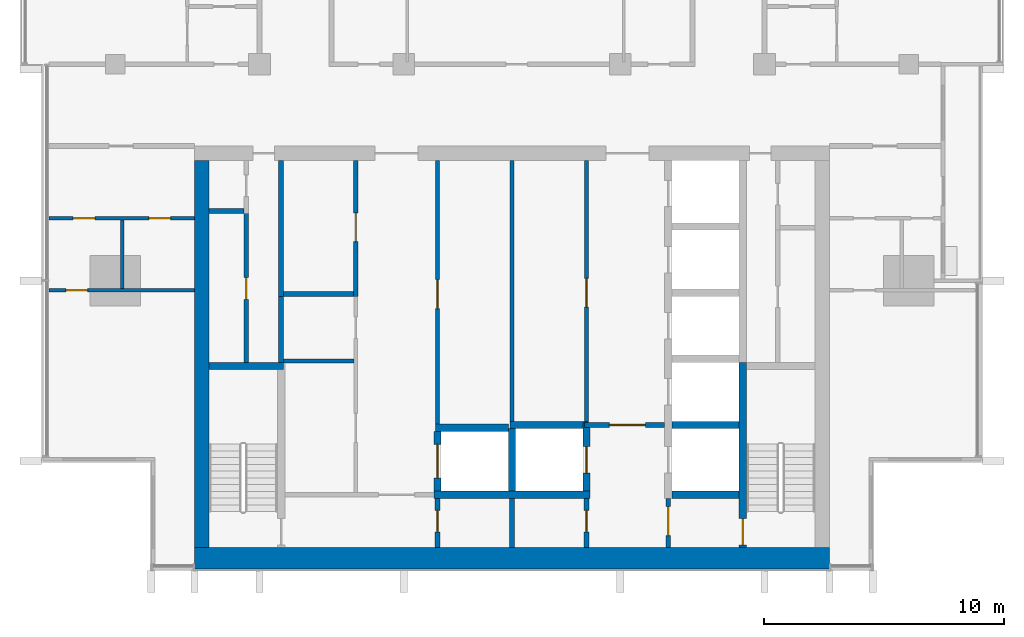
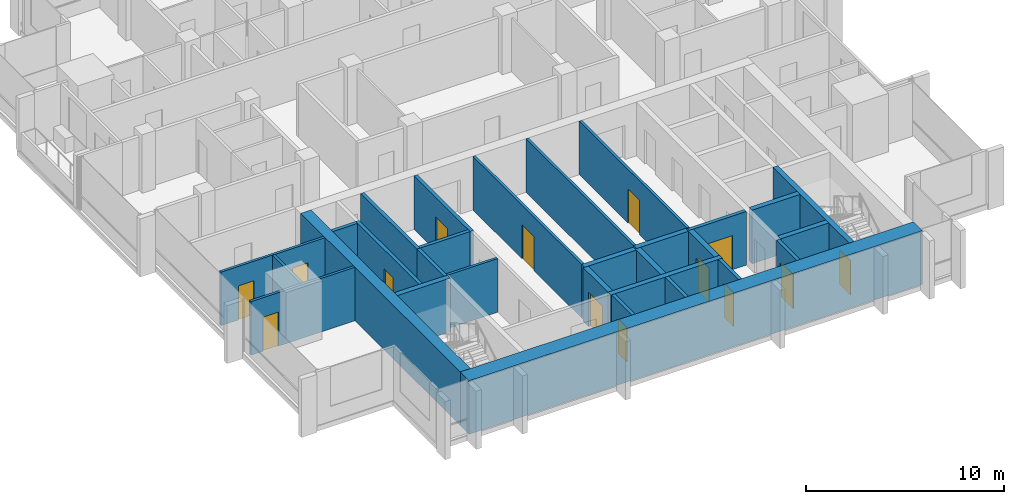
# One storey, part 7 of 16: 30 walls, 14 doors, 14 openings.
"""IFC4 building model written with IfcOpenShell, lengths in metres."""

from ifc_helpers import new_model, si_unit, direction, frame, frame_2d, origin, place, context, subcontext, project, spatial, rectangle, extrude, material, layer, layer_set, type_object, element, fill, save


model = new_model("IFC4")

# Units and contexts
model_context = context("Model", 3, precision=1e-05, world=origin(), true_north=direction((0.0, 1.0)))
body_context = subcontext(model_context, "Body", "Model", "MODEL_VIEW")
ifc_project = project(units=[si_unit("LENGTHUNIT", "METRE"), si_unit("AREAUNIT", "SQUARE_METRE"), si_unit("VOLUMEUNIT", "CUBIC_METRE"), si_unit("PLANEANGLEUNIT", "RADIAN"), si_unit("MASSUNIT", "GRAM", prefix="KILO")], contexts=[model_context])

# Site, building, storey
site_placement = place(None, origin())
site = spatial("IfcSite", under=ifc_project, at=site_placement, CompositionType="ELEMENT")
building_placement = place(site_placement, origin())
building = spatial("IfcBuilding", under=site, at=building_placement, Name="Finial Court Residences", CompositionType="ELEMENT")
storey_placement = place(building_placement, frame((0.0, 0.0, 223.10009765625)))
storey = spatial("IfcBuildingStorey", under=building, at=storey_placement, Name="L56", CompositionType="ELEMENT", Elevation=223.10009765625)

# Walls
ifc_material_1 = material(Name="Concrete C60/75", Category="concrete")
ifc_layer_1 = layer(ifc_material_1, 0.60009765625)
ifc_layer_set_1 = layer_set([ifc_layer_1], Name="Core outer wall 600 Concrete C60/75")
wall_type_1 = type_object("IfcWallType", Name="Core outer wall 600 Concrete C60/75", PredefinedType="SHEAR", material=ifc_layer_set_1)
wall_1_placement = place(storey_placement, frame((-12.89990234375, -24.60009765625, 0.0), z_axis=(0.0, 0.0, 1.0), x_axis=(0.0, 1.0, 0.0)))
element("IfcWall", 1, at=wall_1_placement, inside=storey, type_object=wall_type_1, Name="Core outer wall L56-03", PredefinedType="SHEAR", context=body_context, shape_type="SweptSolid", body=[
    extrude(rectangle(XDim=16.10009765625, YDim=0.60009765625, at=frame_2d((8.050048828125, 0.0))), origin(), (0.0, 0.0, 1.0), 3.2998046875),
])
ifc_material_2 = material(Name="Fire-rated gypsum board partition")
ifc_layer_2 = layer(ifc_material_2, 0.14990234375)
ifc_layer_set_2 = layer_set([ifc_layer_2], Name="Core room partition 150 EI 60")
wall_type_2 = type_object("IfcWallType", Name="Core room partition 150 EI 60", PredefinedType="PARTITIONING", material=ifc_layer_set_2)
wall_2_placement = place(storey_placement, frame((-9.5, -16.840087890625, 0.0), z_axis=(0.0, 0.0, 1.0), x_axis=(1.0, 0.0, 0.0)))
element("IfcWall", 2, at=wall_2_placement, inside=storey, type_object=wall_type_2, Name="Core partition L56-10", PredefinedType="PARTITIONING", context=body_context, shape_type="SweptSolid", body=[
    extrude(rectangle(XDim=2.925048828125, YDim=0.14990234375, at=frame_2d((1.46240234375, 0.0))), origin(), (0.0, 0.0, 1.0), 3.2998046875),
])

# Wall, opening, door
wall_3_placement = place(storey_placement, frame((-3.10009765625, -8.5, 0.0), z_axis=(0.0, 0.0, 1.0), x_axis=(0.0, -1.0, 0.0)))
wall_3 = element("IfcWall", 3, at=wall_3_placement, inside=storey, type_object=wall_type_2, Name="Core partition L56-26", PredefinedType="PARTITIONING", context=body_context, shape_type="SweptSolid", body=[
    extrude(rectangle(XDim=10.969970703125, YDim=0.14990234375, at=frame_2d((5.48486328125, 0.0))), origin(), (0.0, 0.0, 1.0), 3.2998046875),
])
opening_1_placement = place(wall_3_placement, frame((4.9599609375, 0.0, 0.0)))
opening_1 = element("IfcOpeningElement", 4, at=opening_1_placement, cuts=wall_3, Name="Opening L56-C17", PredefinedType="OPENING", context=body_context, shape_type="SweptSolid", body=[
    extrude(rectangle(XDim=1.199951171875, YDim=2.10009765625, at=frame_2d((0.60009765625, 1.050048828125))), frame((0.0, 0.0849609375, 0.0), z_axis=(0.0, -1.0, 0.0), x_axis=(1.0, 0.0, 0.0)), (0.0, 0.0, 1.0), 0.169921875),
])
ifc_material_3 = material(Name="Steel fire door", Category="steel")
door_type_1 = type_object("IfcDoorType", Name="Core room door 1200 x 2100 EI 60", OperationType="NOTDEFINED", PredefinedType="DOOR", material=ifc_material_3)
door_1_placement = place(opening_1_placement, origin())
door_1 = element("IfcDoor", 5, at=door_1_placement, inside=storey, type_object=door_type_1, Name="Core room door L56-C17", OperationType="SINGLE_SWING_RIGHT", OverallHeight=2.10009765625, OverallWidth=1.199951171875, PredefinedType="DOOR", context=body_context, shape_type="SweptSolid", body=[
    extrude(rectangle(XDim=1.199951171875, YDim=2.10009765625, at=frame_2d((0.60009765625, 1.050048828125))), frame((0.0, 0.02490234375, 0.0), z_axis=(0.0, -1.0, 0.0), x_axis=(1.0, 0.0, 0.0)), (0.0, 0.0, 1.0), 0.050048828125),
])
fill(opening_1, door_1)

# Wall
wall_4_placement = place(storey_placement, frame((0.0, -19.35009765625, 0.0), z_axis=(0.0, 0.0, 1.0), x_axis=(0.0, 1.0, 0.0)))
element("IfcWall", 6, at=wall_4_placement, inside=storey, type_object=wall_type_2, Name="Core partition L56-29", PredefinedType="PARTITIONING", context=body_context, shape_type="SweptSolid", body=[
    extrude(rectangle(XDim=10.85009765625, YDim=0.14990234375, at=frame_2d((5.425048828125, 0.0))), origin(), (0.0, 0.0, 1.0), 3.2998046875),
])

# Wall, opening, door
wall_5_placement = place(storey_placement, frame((3.10009765625, -19.39990234375, 0.0), z_axis=(0.0, 0.0, 1.0), x_axis=(0.0, 1.0, 0.0)))
wall_5 = element("IfcWall", 7, at=wall_5_placement, inside=storey, type_object=wall_type_2, Name="Core partition L56-32", PredefinedType="PARTITIONING", context=body_context, shape_type="SweptSolid", body=[
    extrude(rectangle(XDim=10.89990234375, YDim=0.14990234375, at=frame_2d((5.449951171875, 0.0))), origin(), (0.0, 0.0, 1.0), 3.2998046875),
])
opening_2_placement = place(wall_5_placement, frame((4.800048828125, 0.0, 0.0)))
opening_2 = element("IfcOpeningElement", 8, at=opening_2_placement, cuts=wall_5, Name="Opening L56-C18", PredefinedType="OPENING", context=body_context, shape_type="SweptSolid", body=[
    extrude(rectangle(XDim=1.199951171875, YDim=2.10009765625, at=frame_2d((0.60009765625, 1.050048828125))), frame((0.0, 0.0849609375, 0.0), z_axis=(0.0, -1.0, 0.0), x_axis=(1.0, 0.0, 0.0)), (0.0, 0.0, 1.0), 0.169921875),
])
door_2_placement = place(opening_2_placement, origin())
door_2 = element("IfcDoor", 9, at=door_2_placement, inside=storey, type_object=door_type_1, Name="Core room door L56-C18", OperationType="SINGLE_SWING_LEFT", OverallHeight=2.10009765625, OverallWidth=1.199951171875, PredefinedType="DOOR", context=body_context, shape_type="SweptSolid", body=[
    extrude(rectangle(XDim=1.199951171875, YDim=2.10009765625, at=frame_2d((0.60009765625, 1.050048828125))), frame((0.0, 0.02490234375, 0.0), z_axis=(0.0, -1.0, 0.0), x_axis=(1.0, 0.0, 0.0)), (0.0, 0.0, 1.0), 0.050048828125),
])
fill(opening_2, door_2)

# Wall
ifc_layer_3 = layer(ifc_material_1, 0.89990234375)
ifc_layer_set_3 = layer_set([ifc_layer_3], Name="Core south facade wall 900 Concrete C60/75")
wall_type_3 = type_object("IfcWallType", Name="Core south facade wall 900 Concrete C60/75", PredefinedType="SHEAR", material=ifc_layer_set_3)
wall_6_placement = place(storey_placement, frame((-13.199951171875, -25.050048828125, 0.0), z_axis=(0.0, 0.0, 1.0), x_axis=(1.0, 0.0, 0.0)))
element("IfcWall", 10, at=wall_6_placement, inside=storey, type_object=wall_type_3, Name="Core outer wall L56-01", PredefinedType="SHEAR", context=body_context, shape_type="SweptSolid", body=[
    extrude(rectangle(XDim=26.39990234375, YDim=0.89990234375, at=frame_2d((13.199951171875, 0.0))), origin(), (0.0, 0.0, 1.0), 3.2998046875),
])

# Wall, opening, door
ifc_layer_4 = layer(ifc_material_2, 0.199951171875)
ifc_layer_set_4 = layer_set([ifc_layer_4], Name="Firefighting lobby wall 200 EI 120")
wall_type_4 = type_object("IfcWallType", Name="Firefighting lobby wall 200 EI 120", PredefinedType="PARTITIONING", material=ifc_layer_set_4)
wall_7_placement = place(storey_placement, frame((6.35009765625, -19.5, 0.0), z_axis=(0.0, 0.0, 1.0), x_axis=(-1.0, 0.0, 0.0)))
wall_7 = element("IfcWall", 11, at=wall_7_placement, inside=storey, type_object=wall_type_4, Name="Core partition L56-06", PredefinedType="PARTITIONING", context=body_context, shape_type="SweptSolid", body=[
    extrude(rectangle(XDim=3.3251953125, YDim=0.199951171875, at=frame_2d((1.66259765625, 0.0))), origin(), (0.0, 0.0, 1.0), 3.2998046875),
])
opening_3_placement = place(wall_7_placement, frame((0.800048828125, 0.0, 0.0)))
opening_3 = element("IfcOpeningElement", 12, at=opening_3_placement, cuts=wall_7, Name="Opening L56-C02", PredefinedType="OPENING", context=body_context, shape_type="SweptSolid", body=[
    extrude(rectangle(XDim=1.5, YDim=2.10009765625, at=frame_2d((0.75, 1.050048828125))), frame((0.0, 0.10986328125, 0.0), z_axis=(0.0, -1.0, 0.0), x_axis=(1.0, 0.0, 0.0)), (0.0, 0.0, 1.0), 0.219970703125),
])
door_type_2 = type_object("IfcDoorType", Name="Firefighting lobby door 1500 x 2100 EI 90", OperationType="DOUBLE_DOOR_SINGLE_SWING", PredefinedType="DOOR", material=ifc_material_3)
door_3_placement = place(opening_3_placement, origin())
door_3 = element("IfcDoor", 13, at=door_3_placement, inside=storey, type_object=door_type_2, Name="Firefighting lobby door L56-C02", OperationType="DOUBLE_DOOR_SINGLE_SWING", OverallHeight=2.10009765625, OverallWidth=1.5, PredefinedType="DOOR", context=body_context, shape_type="SweptSolid", body=[
    extrude(rectangle(XDim=1.5, YDim=2.10009765625, at=frame_2d((0.75, 1.050048828125))), frame((0.0, 0.02490234375, 0.0), z_axis=(0.0, -1.0, 0.0), x_axis=(1.0, 0.0, 0.0)), (0.0, 0.0, 1.0), 0.050048828125),
])
fill(opening_3, door_3)

wall_8_placement = place(storey_placement, frame((3.10009765625, -24.60009765625, 0.0), z_axis=(0.0, 0.0, 1.0), x_axis=(0.0, 1.0, 0.0)))
wall_8 = element("IfcWall", 14, at=wall_8_placement, inside=storey, type_object=wall_type_4, Name="Core partition L56-30", PredefinedType="PARTITIONING", context=body_context, shape_type="SweptSolid", body=[
    extrude(rectangle(XDim=2.050048828125, YDim=0.199951171875, at=frame_2d((1.02490234375, 0.0))), origin(), (0.0, 0.0, 1.0), 3.2998046875),
])
opening_4_placement = place(wall_8_placement, frame((0.64990234375, 0.0, 0.0)))
opening_4 = element("IfcOpeningElement", 15, at=opening_4_placement, cuts=wall_8, Name="Opening L56-C06", PredefinedType="OPENING", context=body_context, shape_type="SweptSolid", body=[
    extrude(rectangle(XDim=0.89990234375, YDim=2.10009765625, at=frame_2d((0.449951171875, 1.050048828125))), frame((0.0, 0.10986328125, 0.0), z_axis=(0.0, -1.0, 0.0), x_axis=(1.0, 0.0, 0.0)), (0.0, 0.0, 1.0), 0.219970703125),
])
door_type_3 = type_object("IfcDoorType", Name="Riser room door 900 x 2100 EI 90", OperationType="NOTDEFINED", PredefinedType="DOOR", material=ifc_material_3)
door_4_placement = place(opening_4_placement, origin())
door_4 = element("IfcDoor", 16, at=door_4_placement, inside=storey, type_object=door_type_3, Name="Riser room door L56-C06", OperationType="SINGLE_SWING_LEFT", OverallHeight=2.10009765625, OverallWidth=0.89990234375, PredefinedType="DOOR", context=body_context, shape_type="SweptSolid", body=[
    extrude(rectangle(XDim=0.89990234375, YDim=2.10009765625, at=frame_2d((0.449951171875, 1.050048828125))), frame((0.0, 0.02490234375, 0.0), z_axis=(0.0, -1.0, 0.0), x_axis=(1.0, 0.0, 0.0)), (0.0, 0.0, 1.0), 0.050048828125),
])
fill(opening_4, door_4)

wall_9_placement = place(storey_placement, frame((6.5, -22.550048828125, 0.0), z_axis=(0.0, 0.0, 1.0), x_axis=(0.0, -1.0, 0.0)))
wall_9 = element("IfcWall", 17, at=wall_9_placement, inside=storey, type_object=wall_type_4, Name="Core partition L56-33", PredefinedType="PARTITIONING", context=body_context, shape_type="SweptSolid", body=[
    extrude(rectangle(XDim=2.050048828125, YDim=0.199951171875, at=frame_2d((1.02490234375, 0.0))), origin(), (0.0, 0.0, 1.0), 3.2998046875),
])
opening_5_placement = place(wall_9_placement, frame((0.35009765625, 0.0, 0.0)))
opening_5 = element("IfcOpeningElement", 18, at=opening_5_placement, cuts=wall_9, Name="Opening L56-C01", PredefinedType="OPENING", context=body_context, shape_type="SweptSolid", body=[
    extrude(rectangle(XDim=1.199951171875, YDim=2.10009765625, at=frame_2d((0.60009765625, 1.050048828125))), frame((0.0, 0.10986328125, 0.0), z_axis=(0.0, -1.0, 0.0), x_axis=(1.0, 0.0, 0.0)), (0.0, 0.0, 1.0), 0.219970703125),
])
door_type_4 = type_object("IfcDoorType", Name="Firefighting lobby door 1200 x 2100 EI 90", OperationType="NOTDEFINED", PredefinedType="DOOR", material=ifc_material_3)
door_5_placement = place(opening_5_placement, origin())
door_5 = element("IfcDoor", 19, at=door_5_placement, inside=storey, type_object=door_type_4, Name="Firefighting lobby door L56-C01", OperationType="SINGLE_SWING_RIGHT", OverallHeight=2.10009765625, OverallWidth=1.199951171875, PredefinedType="DOOR", context=body_context, shape_type="SweptSolid", body=[
    extrude(rectangle(XDim=1.199951171875, YDim=2.10009765625, at=frame_2d((0.60009765625, 1.050048828125))), frame((0.0, 0.02490234375, 0.0), z_axis=(0.0, -1.0, 0.0), x_axis=(1.0, 0.0, 0.0)), (0.0, 0.0, 1.0), 0.050048828125),
])
fill(opening_5, door_5)

ifc_material_4 = material(Name="Moisture-resistant gypsum board")
ifc_layer_5 = layer(ifc_material_4, 0.012451171875)
ifc_material_5 = material(Name="Mineral wool in light-gauge frame")
ifc_layer_6 = layer(ifc_material_5, 0.125)
ifc_layer_7 = layer(ifc_material_4, 0.012451171875)
ifc_layer_set_5 = layer_set([ifc_layer_5, ifc_layer_6, ifc_layer_7], Name="Gypsum board wet-area partition 150")
wall_type_5 = type_object("IfcWallType", Name="Gypsum board wet-area partition 150", PredefinedType="PARTITIONING", material=ifc_layer_set_5)
wall_10_placement = place(storey_placement, frame((-19.262451171875, -13.89990234375, 0.0), z_axis=(0.0, 0.0, 1.0), x_axis=(1.0, 0.0, 0.0)))
wall_10 = element("IfcWall", 20, at=wall_10_placement, inside=storey, type_object=wall_type_5, Name="Partition L56-000", PredefinedType="PARTITIONING", context=body_context, shape_type="SweptSolid", body=[
    extrude(rectangle(XDim=6.0625, YDim=0.14990234375, at=frame_2d((3.03125, 0.0))), origin(), (0.0, 0.0, 1.0), 3.2998046875),
])
opening_6_placement = place(wall_10_placement, frame((0.7119140625, 0.0, 0.0)))
opening_6 = element("IfcOpeningElement", 21, at=opening_6_placement, cuts=wall_10, Name="Opening L56-D001", PredefinedType="OPENING", context=body_context, shape_type="SweptSolid", body=[
    extrude(rectangle(XDim=0.89990234375, YDim=2.10009765625, at=frame_2d((0.449951171875, 1.050048828125))), frame((0.0, 0.0849609375, 0.0), z_axis=(0.0, -1.0, 0.0), x_axis=(1.0, 0.0, 0.0)), (0.0, 0.0, 1.0), 0.169921875),
])
ifc_material_6 = material(Name="Timber door leaf in timber frame", Category="wood")
door_type_5 = type_object("IfcDoorType", Name="Door set 900 x 2100", OperationType="SINGLE_SWING_LEFT", PredefinedType="DOOR", material=ifc_material_6)
door_6_placement = place(opening_6_placement, origin())
door_6 = element("IfcDoor", 22, at=door_6_placement, inside=storey, type_object=door_type_5, Name="Door L56-D001", OperationType="SINGLE_SWING_LEFT", OverallHeight=2.10009765625, OverallWidth=0.89990234375, PredefinedType="DOOR", context=body_context, shape_type="SweptSolid", body=[
    extrude(rectangle(XDim=0.89990234375, YDim=2.10009765625, at=frame_2d((0.449951171875, 1.050048828125))), frame((0.0, 0.02490234375, 0.0), z_axis=(0.0, -1.0, 0.0), x_axis=(1.0, 0.0, 0.0)), (0.0, 0.0, 1.0), 0.050048828125),
])
fill(opening_6, door_6)

# Wall, openings, doors
wall_11_placement = place(storey_placement, frame((-19.262451171875, -10.89990234375, 0.0), z_axis=(0.0, 0.0, 1.0), x_axis=(1.0, 0.0, 0.0)))
wall_11 = element("IfcWall", 23, at=wall_11_placement, inside=storey, type_object=wall_type_5, Name="Partition L56-002", PredefinedType="PARTITIONING", context=body_context, shape_type="SweptSolid", body=[
    extrude(rectangle(XDim=6.0625, YDim=0.14990234375, at=frame_2d((3.03125, 0.0))), origin(), (0.0, 0.0, 1.0), 3.2998046875),
])
opening_7_placement = place(wall_11_placement, frame((1.011962890625, 0.0, 0.0)))
opening_7 = element("IfcOpeningElement", 24, at=opening_7_placement, cuts=wall_11, Name="Opening L56-D003", PredefinedType="OPENING", context=body_context, shape_type="SweptSolid", body=[
    extrude(rectangle(XDim=0.89990234375, YDim=2.10009765625, at=frame_2d((0.449951171875, 1.050048828125))), frame((0.0, 0.0849609375, 0.0), z_axis=(0.0, -1.0, 0.0), x_axis=(1.0, 0.0, 0.0)), (0.0, 0.0, 1.0), 0.169921875),
])
opening_8_placement = place(wall_11_placement, frame((4.162109375, 0.0, 0.0)))
opening_8 = element("IfcOpeningElement", 25, at=opening_8_placement, cuts=wall_11, Name="Opening L56-D004", PredefinedType="OPENING", context=body_context, shape_type="SweptSolid", body=[
    extrude(rectangle(XDim=0.89990234375, YDim=2.10009765625, at=frame_2d((0.449951171875, 1.050048828125))), frame((0.0, 0.0849609375, 0.0), z_axis=(0.0, -1.0, 0.0), x_axis=(1.0, 0.0, 0.0)), (0.0, 0.0, 1.0), 0.169921875),
])
door_7_placement = place(opening_7_placement, origin())
door_7 = element("IfcDoor", 26, at=door_7_placement, inside=storey, type_object=door_type_5, Name="Door L56-D003", OperationType="SINGLE_SWING_LEFT", OverallHeight=2.10009765625, OverallWidth=0.89990234375, PredefinedType="DOOR", context=body_context, shape_type="SweptSolid", body=[
    extrude(rectangle(XDim=0.89990234375, YDim=2.10009765625, at=frame_2d((0.449951171875, 1.050048828125))), frame((0.0, 0.02490234375, 0.0), z_axis=(0.0, -1.0, 0.0), x_axis=(1.0, 0.0, 0.0)), (0.0, 0.0, 1.0), 0.050048828125),
])
fill(opening_7, door_7)
door_8_placement = place(opening_8_placement, origin())
door_8 = element("IfcDoor", 27, at=door_8_placement, inside=storey, type_object=door_type_5, Name="Door L56-D004", OperationType="SINGLE_SWING_RIGHT", OverallHeight=2.10009765625, OverallWidth=0.89990234375, PredefinedType="DOOR", context=body_context, shape_type="SweptSolid", body=[
    extrude(rectangle(XDim=0.89990234375, YDim=2.10009765625, at=frame_2d((0.449951171875, 1.050048828125))), frame((0.0, 0.02490234375, 0.0), z_axis=(0.0, -1.0, 0.0), x_axis=(1.0, 0.0, 0.0)), (0.0, 0.0, 1.0), 0.050048828125),
])
fill(opening_8, door_8)

# Walls
wall_12_placement = place(storey_placement, frame((-16.199951171875, -13.824951171875, 0.0), z_axis=(0.0, 0.0, 1.0), x_axis=(0.0, 1.0, 0.0)))
element("IfcWall", 28, at=wall_12_placement, inside=storey, type_object=wall_type_5, Name="Partition L56-031", PredefinedType="PARTITIONING", context=body_context, shape_type="SweptSolid", body=[
    extrude(rectangle(XDim=2.849853515625, YDim=0.14990234375, at=frame_2d((1.4248046875, 0.0))), origin(), (0.0, 0.0, 1.0), 3.2998046875),
])
ifc_layer_8 = layer(ifc_material_1, 0.300048828125)
ifc_layer_set_6 = layer_set([ifc_layer_8], Name="Lift shaft and stair wall 300 Concrete C60/75")
wall_type_6 = type_object("IfcWallType", Name="Lift shaft and stair wall 300 Concrete C60/75", PredefinedType="SHEAR", material=ifc_layer_set_6)
wall_13_placement = place(storey_placement, frame((-3.25, -22.39990234375, 0.0), z_axis=(0.0, 0.0, 1.0), x_axis=(1.0, 0.0, 0.0)))
element("IfcWall", 29, at=wall_13_placement, inside=storey, type_object=wall_type_6, Name="Core wall L56-02", PredefinedType="SHEAR", context=body_context, shape_type="SweptSolid", body=[
    extrude(rectangle(XDim=6.5, YDim=0.300048828125, at=frame_2d((3.25, 0.0))), origin(), (0.0, 0.0, 1.0), 3.2998046875),
])
wall_14_placement = place(storey_placement, frame((6.64990234375, -22.39990234375, 0.0), z_axis=(0.0, 0.0, 1.0), x_axis=(1.0, 0.0, 0.0)))
element("IfcWall", 30, at=wall_14_placement, inside=storey, type_object=wall_type_6, Name="Core wall L56-03", PredefinedType="SHEAR", context=body_context, shape_type="SweptSolid", body=[
    extrude(rectangle(XDim=2.800048828125, YDim=0.300048828125, at=frame_2d((1.39990234375, 0.0))), origin(), (0.0, 0.0, 1.0), 3.2998046875),
])
wall_15_placement = place(storey_placement, frame((-3.175048828125, -19.6201171875, 0.0), z_axis=(0.0, 0.0, 1.0), x_axis=(1.0, 0.0, 0.0)))
element("IfcWall", 31, at=wall_15_placement, inside=storey, type_object=wall_type_6, Name="Core wall L56-04", PredefinedType="SHEAR", context=body_context, shape_type="SweptSolid", body=[
    extrude(rectangle(XDim=3.025146484375, YDim=0.300048828125, at=frame_2d((1.5126953125, 0.0))), origin(), (0.0, 0.0, 1.0), 3.2998046875),
])
wall_16_placement = place(storey_placement, frame((-0.074951171875, -19.5, 0.0), z_axis=(0.0, 0.0, 1.0), x_axis=(1.0, 0.0, 0.0)))
element("IfcWall", 32, at=wall_16_placement, inside=storey, type_object=wall_type_6, Name="Core wall L56-05", PredefinedType="SHEAR", context=body_context, shape_type="SweptSolid", body=[
    extrude(rectangle(XDim=3.25, YDim=0.300048828125, at=frame_2d((1.625, 0.0))), origin(), (0.0, 0.0, 1.0), 3.2998046875),
])
wall_17_placement = place(storey_placement, frame((6.64990234375, -19.5, 0.0), z_axis=(0.0, 0.0, 1.0), x_axis=(1.0, 0.0, 0.0)))
element("IfcWall", 33, at=wall_17_placement, inside=storey, type_object=wall_type_6, Name="Core wall L56-07", PredefinedType="SHEAR", context=body_context, shape_type="SweptSolid", body=[
    extrude(rectangle(XDim=2.800048828125, YDim=0.300048828125, at=frame_2d((1.39990234375, 0.0))), origin(), (0.0, 0.0, 1.0), 3.2998046875),
])
wall_18_placement = place(storey_placement, frame((-12.60009765625, -17.050048828125, 0.0), z_axis=(0.0, 0.0, 1.0), x_axis=(1.0, 0.0, 0.0)))
element("IfcWall", 34, at=wall_18_placement, inside=storey, type_object=wall_type_6, Name="Core wall L56-08", PredefinedType="SHEAR", context=body_context, shape_type="SweptSolid", body=[
    extrude(rectangle(XDim=3.10009765625, YDim=0.300048828125, at=frame_2d((1.550048828125, 0.0))), origin(), (0.0, 0.0, 1.0), 3.2998046875),
])

# Wall, opening, door
wall_19_placement = place(storey_placement, frame((-3.10009765625, -22.25, 0.0), z_axis=(0.0, 0.0, 1.0), x_axis=(0.0, 1.0, 0.0)))
wall_19 = element("IfcWall", 35, at=wall_19_placement, inside=storey, type_object=wall_type_6, Name="Core wall L56-25", PredefinedType="SHEAR", context=body_context, shape_type="SweptSolid", body=[
    extrude(rectangle(XDim=2.47998046875, YDim=0.300048828125, at=frame_2d((1.239990234375, 0.0))), origin(), (0.0, 0.0, 1.0), 3.2998046875),
])
opening_9_placement = place(wall_19_placement, frame((0.5400390625, 0.0, 0.0)))
opening_9 = element("IfcOpeningElement", 36, at=opening_9_placement, cuts=wall_19, Name="Opening L56-LD07", PredefinedType="OPENING", context=body_context, shape_type="SweptSolid", body=[
    extrude(rectangle(XDim=1.39990234375, YDim=2.10009765625, at=frame_2d((0.699951171875, 1.050048828125))), frame((0.0, 0.159912109375, 0.0), z_axis=(0.0, -1.0, 0.0), x_axis=(1.0, 0.0, 0.0)), (0.0, 0.0, 1.0), 0.320068359375),
])
ifc_material_7 = material(Name="Stainless steel lift door", Category="steel")
door_type_6 = type_object("IfcDoorType", Name="Lift landing door 1400 x 2100 EI 90", OperationType="DOUBLE_DOOR_SLIDING", PredefinedType="DOOR", material=ifc_material_7)
door_9_placement = place(opening_9_placement, origin())
door_9 = element("IfcDoor", 37, at=door_9_placement, inside=storey, type_object=door_type_6, Name="Lift landing door SV1 L56", OperationType="DOUBLE_DOOR_SLIDING", OverallHeight=2.10009765625, OverallWidth=1.39990234375, PredefinedType="DOOR", context=body_context, shape_type="SweptSolid", body=[
    extrude(rectangle(XDim=1.39990234375, YDim=2.10009765625, at=frame_2d((0.699951171875, 1.050048828125))), frame((0.0, 0.02490234375, 0.0), z_axis=(0.0, -1.0, 0.0), x_axis=(1.0, 0.0, 0.0)), (0.0, 0.0, 1.0), 0.050048828125),
])
fill(opening_9, door_9)

# Wall
wall_20_placement = place(storey_placement, frame((0.0, -22.25, 0.0), z_axis=(0.0, 0.0, 1.0), x_axis=(0.0, 1.0, 0.0)))
element("IfcWall", 38, at=wall_20_placement, inside=storey, type_object=wall_type_6, Name="Core wall L56-28", PredefinedType="SHEAR", context=body_context, shape_type="SweptSolid", body=[
    extrude(rectangle(XDim=2.60009765625, YDim=0.300048828125, at=frame_2d((1.300048828125, 0.0))), origin(), (0.0, 0.0, 1.0), 3.2998046875),
])

# Wall, opening, door
wall_21_placement = place(storey_placement, frame((3.10009765625, -22.25, 0.0), z_axis=(0.0, 0.0, 1.0), x_axis=(0.0, 1.0, 0.0)))
wall_21 = element("IfcWall", 39, at=wall_21_placement, inside=storey, type_object=wall_type_6, Name="Core wall L56-31", PredefinedType="SHEAR", context=body_context, shape_type="SweptSolid", body=[
    extrude(rectangle(XDim=2.85009765625, YDim=0.300048828125, at=frame_2d((1.425048828125, 0.0))), origin(), (0.0, 0.0, 1.0), 3.2998046875),
])
opening_10_placement = place(wall_21_placement, frame((0.75, 0.0, 0.0)))
opening_10 = element("IfcOpeningElement", 40, at=opening_10_placement, cuts=wall_21, Name="Opening L56-LD01", PredefinedType="OPENING", context=body_context, shape_type="SweptSolid", body=[
    extrude(rectangle(XDim=1.10009765625, YDim=2.10009765625, at=frame_2d((0.550048828125, 1.050048828125))), frame((0.0, 0.159912109375, 0.0), z_axis=(0.0, -1.0, 0.0), x_axis=(1.0, 0.0, 0.0)), (0.0, 0.0, 1.0), 0.320068359375),
])
door_type_7 = type_object("IfcDoorType", Name="Lift landing door 1100 x 2100 EI 90", OperationType="DOUBLE_DOOR_SLIDING", PredefinedType="DOOR", material=ifc_material_7)
door_10_placement = place(opening_10_placement, origin())
door_10 = element("IfcDoor", 41, at=door_10_placement, inside=storey, type_object=door_type_7, Name="Lift landing door FF1 L56", OperationType="DOUBLE_DOOR_SLIDING", OverallHeight=2.10009765625, OverallWidth=1.10009765625, PredefinedType="DOOR", context=body_context, shape_type="SweptSolid", body=[
    extrude(rectangle(XDim=1.10009765625, YDim=2.10009765625, at=frame_2d((0.550048828125, 1.050048828125))), frame((0.0, 0.02490234375, 0.0), z_axis=(0.0, -1.0, 0.0), x_axis=(1.0, 0.0, 0.0)), (0.0, 0.0, 1.0), 0.050048828125),
])
fill(opening_10, door_10)

wall_22_placement = place(storey_placement, frame((9.60009765625, -16.89990234375, 0.0), z_axis=(0.0, 0.0, 1.0), x_axis=(0.0, -1.0, 0.0)))
wall_22 = element("IfcWall", 42, at=wall_22_placement, inside=storey, type_object=wall_type_6, Name="Core wall L56-35", PredefinedType="SHEAR", context=body_context, shape_type="SweptSolid", body=[
    extrude(rectangle(XDim=7.7001953125, YDim=0.300048828125, at=frame_2d((3.85009765625, 0.0))), origin(), (0.0, 0.0, 1.0), 3.2998046875),
])
opening_11_placement = place(wall_22_placement, frame((6.5, 0.0, 0.0)))
opening_11 = element("IfcOpeningElement", 43, at=opening_11_placement, cuts=wall_22, Name="Opening L56-C20", PredefinedType="OPENING", context=body_context, shape_type="SweptSolid", body=[
    extrude(rectangle(XDim=1.10009765625, YDim=2.10009765625, at=frame_2d((0.550048828125, 1.050048828125))), frame((0.0, 0.159912109375, 0.0), z_axis=(0.0, -1.0, 0.0), x_axis=(1.0, 0.0, 0.0)), (0.0, 0.0, 1.0), 0.320068359375),
])
door_type_8 = type_object("IfcDoorType", Name="Stair door 1100 x 2100 EI 90", OperationType="NOTDEFINED", PredefinedType="DOOR", material=ifc_material_3)
door_11_placement = place(opening_11_placement, origin())
door_11 = element("IfcDoor", 44, at=door_11_placement, inside=storey, type_object=door_type_8, Name="Stair door L56-C20", OperationType="SINGLE_SWING_RIGHT", OverallHeight=2.10009765625, OverallWidth=1.10009765625, PredefinedType="DOOR", context=body_context, shape_type="SweptSolid", body=[
    extrude(rectangle(XDim=1.10009765625, YDim=2.10009765625, at=frame_2d((0.550048828125, 1.050048828125))), frame((0.0, 0.02490234375, 0.0), z_axis=(0.0, -1.0, 0.0), x_axis=(1.0, 0.0, 0.0)), (0.0, 0.0, 1.0), 0.050048828125),
])
fill(opening_11, door_11)

# Walls
ifc_layer_9 = layer(ifc_material_2, 0.199951171875)
ifc_layer_set_7 = layer_set([ifc_layer_9], Name="Riser room wall 200 EI 120")
wall_type_7 = type_object("IfcWallType", Name="Riser room wall 200 EI 120", PredefinedType="PARTITIONING", material=ifc_layer_set_7)
wall_23_placement = place(storey_placement, frame((-9.5, -14.06005859375, 0.0), z_axis=(0.0, 0.0, 1.0), x_axis=(1.0, 0.0, 0.0)))
element("IfcWall", 45, at=wall_23_placement, inside=storey, type_object=wall_type_7, Name="Core partition L56-12", PredefinedType="PARTITIONING", context=body_context, shape_type="SweptSolid", body=[
    extrude(rectangle(XDim=2.89990234375, YDim=0.199951171875, at=frame_2d((1.449951171875, 0.0))), origin(), (0.0, 0.0, 1.0), 3.2998046875),
])
wall_24_placement = place(storey_placement, frame((-12.60009765625, -10.60009765625, 0.0), z_axis=(0.0, 0.0, 1.0), x_axis=(1.0, 0.0, 0.0)))
element("IfcWall", 46, at=wall_24_placement, inside=storey, type_object=wall_type_7, Name="Core partition L56-16", PredefinedType="PARTITIONING", context=body_context, shape_type="SweptSolid", body=[
    extrude(rectangle(XDim=1.4501953125, YDim=0.199951171875, at=frame_2d((0.72509765625, 0.0))), origin(), (0.0, 0.0, 1.0), 3.2998046875),
])
wall_25_placement = place(storey_placement, frame((-9.60009765625, -14.159912109375, 0.0), z_axis=(0.0, 0.0, 1.0), x_axis=(0.0, 1.0, 0.0)))
element("IfcWall", 47, at=wall_25_placement, inside=storey, type_object=wall_type_7, Name="Core partition L56-21", PredefinedType="PARTITIONING", context=body_context, shape_type="SweptSolid", body=[
    extrude(rectangle(XDim=5.659912109375, YDim=0.199951171875, at=frame_2d((2.830078125, 0.0))), origin(), (0.0, 0.0, 1.0), 3.2998046875),
])

# Wall, opening, door
wall_26_placement = place(storey_placement, frame((-6.5, -14.159912109375, 0.0), z_axis=(0.0, 0.0, 1.0), x_axis=(0.0, 1.0, 0.0)))
wall_26 = element("IfcWall", 48, at=wall_26_placement, inside=storey, type_object=wall_type_7, Name="Core partition L56-23", PredefinedType="PARTITIONING", context=body_context, shape_type="SweptSolid", body=[
    extrude(rectangle(XDim=5.659912109375, YDim=0.199951171875, at=frame_2d((2.830078125, 0.0))), origin(), (0.0, 0.0, 1.0), 3.2998046875),
])
opening_12_placement = place(wall_26_placement, frame((2.280029296875, 0.0, 0.0)))
opening_12 = element("IfcOpeningElement", 49, at=opening_12_placement, cuts=wall_26, Name="Opening L56-C09", PredefinedType="OPENING", context=body_context, shape_type="SweptSolid", body=[
    extrude(rectangle(XDim=1.199951171875, YDim=2.10009765625, at=frame_2d((0.60009765625, 1.050048828125))), frame((0.0, 0.10986328125, 0.0), z_axis=(0.0, -1.0, 0.0), x_axis=(1.0, 0.0, 0.0)), (0.0, 0.0, 1.0), 0.219970703125),
])
door_type_9 = type_object("IfcDoorType", Name="Riser room door 1200 x 2100 EI 90", OperationType="NOTDEFINED", PredefinedType="DOOR", material=ifc_material_3)
door_12_placement = place(opening_12_placement, origin())
door_12 = element("IfcDoor", 50, at=door_12_placement, inside=storey, type_object=door_type_9, Name="Riser room door L56-C09", OperationType="SINGLE_SWING_RIGHT", OverallHeight=2.10009765625, OverallWidth=1.199951171875, PredefinedType="DOOR", context=body_context, shape_type="SweptSolid", body=[
    extrude(rectangle(XDim=1.199951171875, YDim=2.10009765625, at=frame_2d((0.60009765625, 1.050048828125))), frame((0.0, 0.02490234375, 0.0), z_axis=(0.0, -1.0, 0.0), x_axis=(1.0, 0.0, 0.0)), (0.0, 0.0, 1.0), 0.050048828125),
])
fill(opening_12, door_12)

# Wall
wall_27_placement = place(storey_placement, frame((0.0, -24.60009765625, 0.0), z_axis=(0.0, 0.0, 1.0), x_axis=(0.0, 1.0, 0.0)))
element("IfcWall", 51, at=wall_27_placement, inside=storey, type_object=wall_type_7, Name="Core partition L56-27", PredefinedType="PARTITIONING", context=body_context, shape_type="SweptSolid", body=[
    extrude(rectangle(XDim=2.050048828125, YDim=0.199951171875, at=frame_2d((1.02490234375, 0.0))), origin(), (0.0, 0.0, 1.0), 3.2998046875),
])

# Wall, opening, door
ifc_layer_10 = layer(ifc_material_2, 0.199951171875)
ifc_layer_set_8 = layer_set([ifc_layer_10], Name="Stair passage wall 200 EI 180")
wall_type_8 = type_object("IfcWallType", Name="Stair passage wall 200 EI 180", PredefinedType="PARTITIONING", material=ifc_layer_set_8)
wall_28_placement = place(storey_placement, frame((-11.050048828125, -16.89990234375, 0.0), z_axis=(0.0, 0.0, 1.0), x_axis=(0.0, 1.0, 0.0)))
wall_28 = element("IfcWall", 52, at=wall_28_placement, inside=storey, type_object=wall_type_8, Name="Core partition L56-17", PredefinedType="PARTITIONING", context=body_context, shape_type="SweptSolid", body=[
    extrude(rectangle(XDim=6.39990234375, YDim=0.199951171875, at=frame_2d((3.199951171875, 0.0))), origin(), (0.0, 0.0, 1.0), 3.2998046875),
])
opening_13_placement = place(wall_28_placement, frame((2.625, 0.0, 0.0)))
opening_13 = element("IfcOpeningElement", 53, at=opening_13_placement, cuts=wall_28, Name="Opening L56-C13", PredefinedType="OPENING", context=body_context, shape_type="SweptSolid", body=[
    extrude(rectangle(XDim=0.89990234375, YDim=2.10009765625, at=frame_2d((0.449951171875, 1.050048828125))), frame((0.0, 0.10986328125, 0.0), z_axis=(0.0, -1.0, 0.0), x_axis=(1.0, 0.0, 0.0)), (0.0, 0.0, 1.0), 0.219970703125),
])
door_type_10 = type_object("IfcDoorType", Name="Core room door 900 x 2100 EI 60", OperationType="NOTDEFINED", PredefinedType="DOOR", material=ifc_material_3)
door_13_placement = place(opening_13_placement, origin())
door_13 = element("IfcDoor", 54, at=door_13_placement, inside=storey, type_object=door_type_10, Name="Core room door L56-C13", OperationType="SINGLE_SWING_RIGHT", OverallHeight=2.10009765625, OverallWidth=0.89990234375, PredefinedType="DOOR", context=body_context, shape_type="SweptSolid", body=[
    extrude(rectangle(XDim=0.89990234375, YDim=2.10009765625, at=frame_2d((0.449951171875, 1.050048828125))), frame((0.0, 0.02490234375, 0.0), z_axis=(0.0, -1.0, 0.0), x_axis=(1.0, 0.0, 0.0)), (0.0, 0.0, 1.0), 0.050048828125),
])
fill(opening_13, door_13)

# Wall
wall_29_placement = place(storey_placement, frame((-9.60009765625, -16.89990234375, 0.0), z_axis=(0.0, 0.0, 1.0), x_axis=(0.0, 1.0, 0.0)))
element("IfcWall", 55, at=wall_29_placement, inside=storey, type_object=wall_type_8, Name="Core partition L56-20", PredefinedType="PARTITIONING", context=body_context, shape_type="SweptSolid", body=[
    extrude(rectangle(XDim=2.739990234375, YDim=0.199951171875, at=frame_2d((1.3701171875, 0.0))), origin(), (0.0, 0.0, 1.0), 3.2998046875),
])

# Wall, opening, door
wall_30_placement = place(storey_placement, frame((-3.10009765625, -22.550048828125, 0.0), z_axis=(0.0, 0.0, 1.0), x_axis=(0.0, -1.0, 0.0)))
wall_30 = element("IfcWall", 56, at=wall_30_placement, inside=storey, type_object=wall_type_8, Name="Core partition L56-24", PredefinedType="PARTITIONING", context=body_context, shape_type="SweptSolid", body=[
    extrude(rectangle(XDim=2.050048828125, YDim=0.199951171875, at=frame_2d((1.02490234375, 0.0))), origin(), (0.0, 0.0, 1.0), 3.2998046875),
])
opening_14_placement = place(wall_30_placement, frame((0.5, 0.0, 0.0)))
opening_14 = element("IfcOpeningElement", 57, at=opening_14_placement, cuts=wall_30, Name="Opening L56-C12", PredefinedType="OPENING", context=body_context, shape_type="SweptSolid", body=[
    extrude(rectangle(XDim=0.89990234375, YDim=2.10009765625, at=frame_2d((0.449951171875, 1.050048828125))), frame((0.0, 0.10986328125, 0.0), z_axis=(0.0, -1.0, 0.0), x_axis=(1.0, 0.0, 0.0)), (0.0, 0.0, 1.0), 0.219970703125),
])
door_14_placement = place(opening_14_placement, origin())
door_14 = element("IfcDoor", 58, at=door_14_placement, inside=storey, type_object=door_type_10, Name="Core room door L56-C12", OperationType="SINGLE_SWING_RIGHT", OverallHeight=2.10009765625, OverallWidth=0.89990234375, PredefinedType="DOOR", context=body_context, shape_type="SweptSolid", body=[
    extrude(rectangle(XDim=0.89990234375, YDim=2.10009765625, at=frame_2d((0.449951171875, 1.050048828125))), frame((0.0, 0.02490234375, 0.0), z_axis=(0.0, -1.0, 0.0), x_axis=(1.0, 0.0, 0.0)), (0.0, 0.0, 1.0), 0.050048828125),
])
fill(opening_14, door_14)

save(model, "model.ifc")
